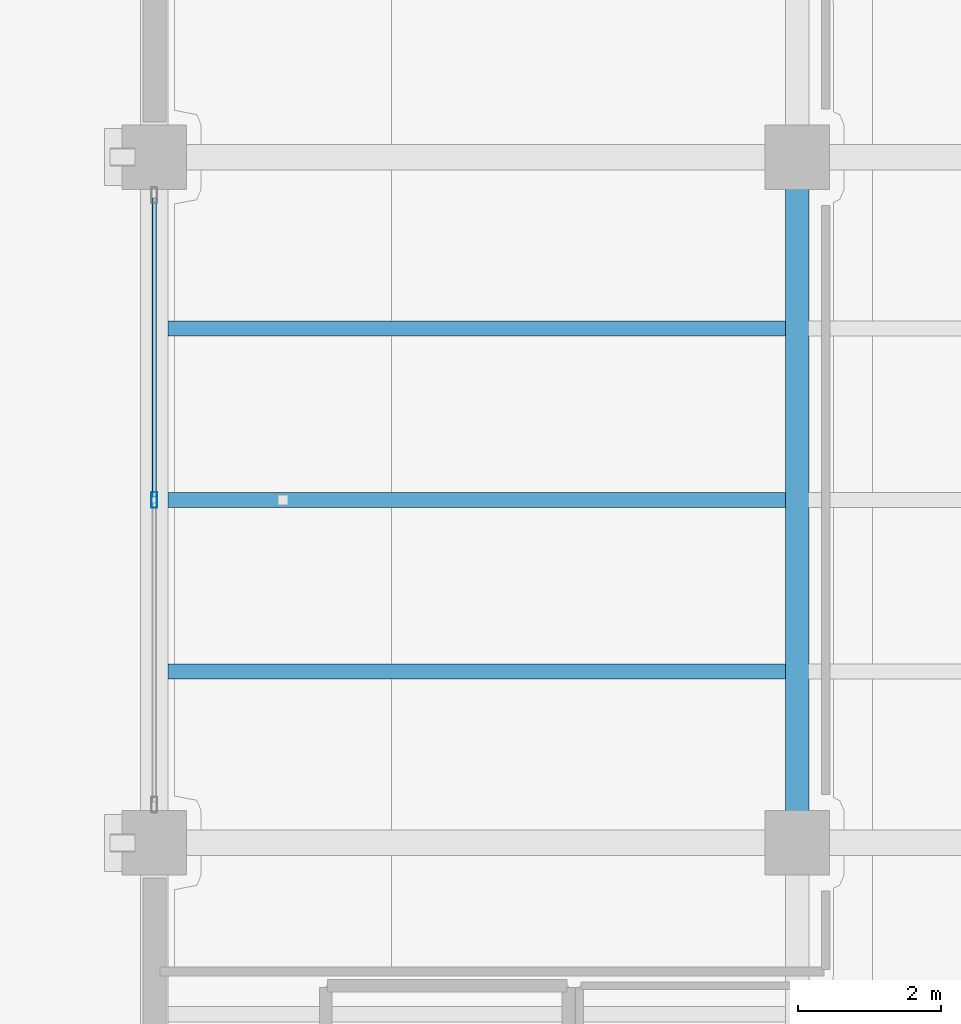
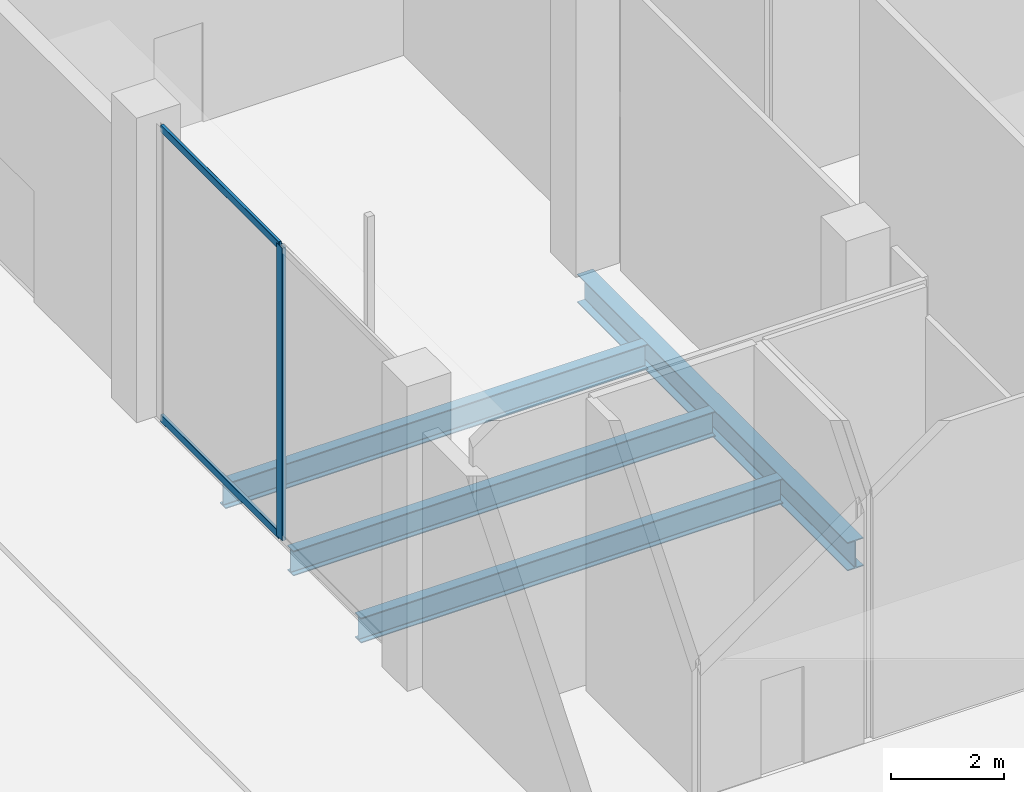
# One storey, part 5 of 45: 4 beams, 3 members, 1 element without a shape of its own.
"""IFC4 building model written with IfcOpenShell, lengths in metres."""

from ifc_helpers import new_model, si_unit, direction, frame, origin, origin_2d, place, context, subcontext, project, spatial, hollow_rectangle, i_section, extrude, material, layer, layer_set, material_profile, profile_set, type_object, element, aggregate, save


model = new_model("IFC4")

# Units and contexts
model_context = context("Model", 3, precision=1e-05, world=origin(), true_north=direction((0.0, 1.0)))
body_context = subcontext(model_context, "Body", "Model", "MODEL_VIEW")
ifc_project = project(units=[si_unit("LENGTHUNIT", "METRE"), si_unit("AREAUNIT", "SQUARE_METRE"), si_unit("VOLUMEUNIT", "CUBIC_METRE"), si_unit("PLANEANGLEUNIT", "RADIAN"), si_unit("MASSUNIT", "GRAM", prefix="KILO")], contexts=[model_context])

# Site, building, storey
site_placement = place(None, origin())
site = spatial("IfcSite", under=ifc_project, at=site_placement, CompositionType="ELEMENT")
building_placement = place(site_placement, origin())
building = spatial("IfcBuilding", under=site, at=building_placement, Name="Qorvath Tower", CompositionType="ELEMENT")
storey_placement = place(building_placement, origin())
storey = spatial("IfcBuildingStorey", under=building, at=storey_placement, Name="L00", CompositionType="ELEMENT", Elevation=0.0)

# Beams
ifc_material_1 = material(Name="Steel ASTM A992 Grade 50", Category="steel")
ifc_material_profile_1 = material_profile(ifc_material_1, i_section(OverallWidth=0.324951171875, OverallDepth=0.615966796875, WebThickness=0.013916015625, FlangeThickness=0.021484375, FilletRadius=0.01611328125, at=origin_2d()), Name="W24x117")
ifc_profile_set_1 = profile_set([ifc_material_profile_1], Name="Steel ASTM A992 Grade 50")
beam_type_1 = type_object("IfcBeamType", Name="BM-FG5", PredefinedType="BEAM", material=ifc_profile_set_1)
beam_placement = place(storey_placement, frame((41.39990234375, -19.199951171875, -0.60791015625), z_axis=(0.0, 1.0, 0.0), x_axis=(-1.0, 0.0, 0.0)))
element("IfcBeam", 1, at=beam_placement, inside=storey, type_object=beam_type_1, Name="Library N-S Girder L00-2-3", PredefinedType="BEAM", context=body_context, shape_type="SweptSolid", body=[
    extrude(i_section(OverallWidth=0.324951171875, OverallDepth=0.615966796875, WebThickness=0.013916015625, FlangeThickness=0.021484375, FilletRadius=0.01611328125, at=origin_2d()), origin(), (0.0, 0.0, 1.0), 9.599853515625),
])
ifc_material_2 = material(Name="Steel ASTM A992 Grade 50", Category="steel")
ifc_material_profile_2 = material_profile(ifc_material_2, i_section(OverallWidth=0.2119140625, OverallDepth=0.5439453125, WebThickness=0.01318359375, FlangeThickness=0.021240234375, FilletRadius=0.013916015625, at=origin_2d()), Name="W21x83")
ifc_profile_set_2 = profile_set([ifc_material_profile_2], Name="Steel ASTM A992 Grade 50")
beam_type_2 = type_object("IfcBeamType", Name="BM-FJ1", PredefinedType="JOIST", material=ifc_profile_set_2)
for number, where, z_axis, x_axis, name in (
    (2, (32.58837890625, -16.800048828125, -0.572021484375), (1.0, 0.0, 0.0), (0.0, 1.0, 0.0), "Library Stack Joist L00-3.1-1"),
    (3, (32.58837890625, -14.39990234375, -0.572021484375), (1.0, 0.0, 0.0), (0.0, 1.0, 0.0), "Library Stack Joist L00-3.2-1"),
    (4, (32.58837890625, -12.0, -0.572021484375), (1.0, 0.0, 0.0), (0.0, 1.0, 0.0), "Library Stack Joist L00-3.3-1"),
):
    element("IfcBeam", number, at=place(storey_placement, frame(where, z_axis=z_axis, x_axis=x_axis)), inside=storey, type_object=beam_type_2, Name=name, PredefinedType="JOIST", context=body_context, shape_type="SweptSolid", body=[
        extrude(i_section(OverallWidth=0.2119140625, OverallDepth=0.5439453125, WebThickness=0.01318359375, FlangeThickness=0.021240234375, FilletRadius=0.013916015625, at=origin_2d()), origin(), (0.0, 0.0, 1.0), 8.651123046875),
    ])

# Curtain wall, members
ifc_material_3 = material(Name="Anodised aluminium and triple low-E glass", Category="aluminium")
ifc_layer = layer(ifc_material_3, 0.179931640625)
ifc_layer_set = layer_set([ifc_layer], Name="CW-SYS-6")
curtain_wall_type = type_object("IfcCurtainWallType", Name="CW-SYS-6", PredefinedType="NOTDEFINED", material=ifc_layer_set)
curtain_wall_placement = place(storey_placement, origin())
curtain_wall = element("IfcCurtainWall", 5, at=curtain_wall_placement, inside=storey, type_object=curtain_wall_type, Name="Curtain Wall CW-6 CW-LIB-W-L00-3", PredefinedType="NOTDEFINED")
ifc_material_4 = material(Name="Anodised aluminium 6063-T6", Category="aluminium")
ifc_material_profile_3 = material_profile(ifc_material_4, hollow_rectangle(XDim=0.080078125, YDim=0.219970703125, WallThickness=0.00439453125, InnerFilletRadius=0.00439453125, OuterFilletRadius=0.009033203125, at=origin_2d()), Name="CWM LIB 220x80")
ifc_profile_set_3 = profile_set([ifc_material_profile_3], Name="Anodised aluminium 6063-T6")
member_type_1 = type_object("IfcMemberType", Name="CWM-LIB", PredefinedType="MULLION", material=ifc_profile_set_3)
member_1_placement = place(storey_placement, frame((32.39990234375, -14.400146484375, 0.0), z_axis=(0.0, 0.0, 1.0), x_axis=(-1.0, 0.0, 0.0)))
member_1 = element("IfcMember", 6, at=member_1_placement, type_object=member_type_1, Name="CW-6 mullion 2", PredefinedType="MULLION", context=body_context, shape_type="SweptSolid", body=[
    extrude(hollow_rectangle(XDim=0.080078125, YDim=0.219970703125, WallThickness=0.00439453125, InnerFilletRadius=0.00439453125, OuterFilletRadius=0.009033203125, at=origin_2d()), origin(), (0.0, 0.0, 1.0), 6.340087890625),
])
ifc_material_5 = material(Name="Anodised aluminium 6063-T6", Category="aluminium")
ifc_material_profile_4 = material_profile(ifc_material_5, hollow_rectangle(XDim=0.06494140625, YDim=0.159912109375, WallThickness=0.00341796875, InnerFilletRadius=0.00341796875, OuterFilletRadius=0.007080078125, at=origin_2d()), Name="CWT 160x65")
ifc_profile_set_4 = profile_set([ifc_material_profile_4], Name="Anodised aluminium 6063-T6")
member_type_2 = type_object("IfcMemberType", Name="CWT-160", PredefinedType="USERDEFINED", material=ifc_profile_set_4)
member_2_placement = place(storey_placement, frame((32.39990234375, -14.360107421875, 0.032470703125), z_axis=(0.0, 1.0, 0.0), x_axis=(-1.0, 0.0, 0.0)))
member_2 = element("IfcMember", 7, at=member_2_placement, type_object=member_type_2, Name="CW-6 transom 2.1", ObjectType="TRANSOM", PredefinedType="USERDEFINED", context=body_context, shape_type="SweptSolid", body=[
    extrude(hollow_rectangle(XDim=0.06494140625, YDim=0.159912109375, WallThickness=0.00341796875, InnerFilletRadius=0.00341796875, OuterFilletRadius=0.007080078125, at=origin_2d()), origin(), (0.0, 0.0, 1.0), 4.18505859375),
])
member_3_placement = place(storey_placement, frame((32.39990234375, -14.360107421875, 6.3076171875), z_axis=(0.0, 1.0, 0.0), x_axis=(-1.0, 0.0, 0.0)))
member_3 = element("IfcMember", 8, at=member_3_placement, type_object=member_type_2, Name="CW-6 transom 2.2", ObjectType="TRANSOM", PredefinedType="USERDEFINED", context=body_context, shape_type="SweptSolid", body=[
    extrude(hollow_rectangle(XDim=0.06494140625, YDim=0.159912109375, WallThickness=0.00341796875, InnerFilletRadius=0.00341796875, OuterFilletRadius=0.007080078125, at=origin_2d()), origin(), (0.0, 0.0, 1.0), 4.18505859375),
])
aggregate(curtain_wall, [member_1, member_2, member_3])

save(model, "model.ifc")
